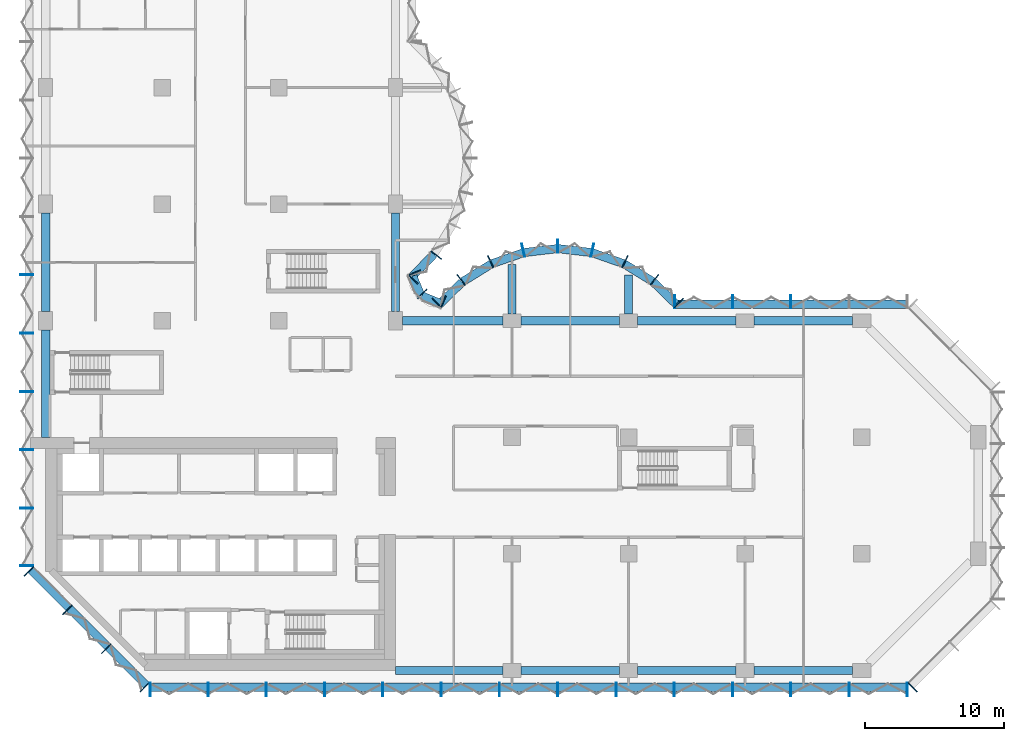
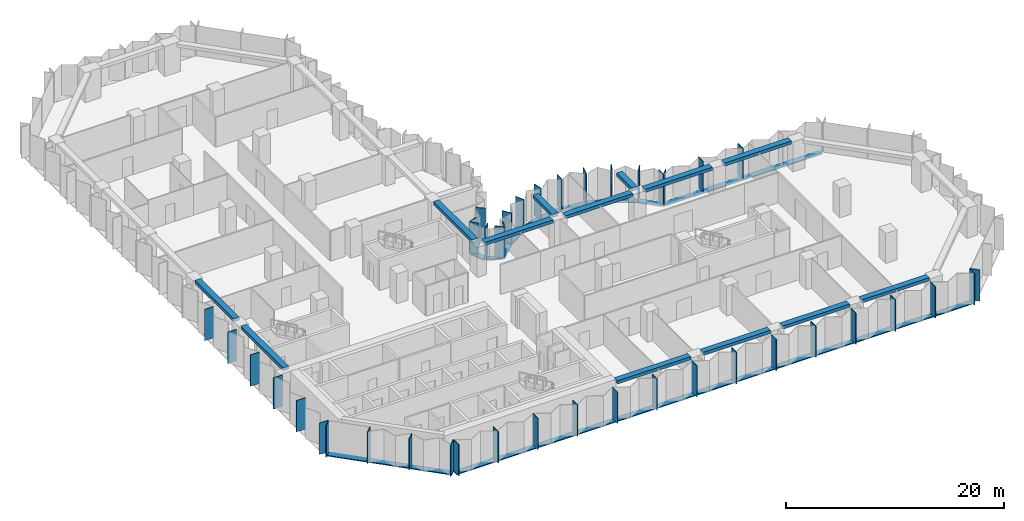
# One storey, part 2 of 13: 56 members, 13 beams, 8 elements without a shape of their own.
"""IFC4 building model written with IfcOpenShell, lengths in metres."""

from ifc_helpers import new_model, si_unit, direction, frame, origin, origin_2d, place, context, subcontext, project, spatial, rectangle, extrude, material, material_profile, profile_set, type_object, element, aggregate, save


model = new_model("IFC4")

# Units and contexts
model_context = context("Model", 3, precision=1e-05, world=origin(), true_north=direction((0.0, 1.0)))
body_context = subcontext(model_context, "Body", "Model", "MODEL_VIEW")
ifc_project = project(units=[si_unit("LENGTHUNIT", "METRE"), si_unit("AREAUNIT", "SQUARE_METRE"), si_unit("VOLUMEUNIT", "CUBIC_METRE"), si_unit("PLANEANGLEUNIT", "RADIAN"), si_unit("MASSUNIT", "GRAM", prefix="KILO")], contexts=[model_context])

# Site, building, storey
site_placement = place(None, origin())
site = spatial("IfcSite", under=ifc_project, at=site_placement, CompositionType="ELEMENT")
building_placement = place(site_placement, origin())
building = spatial("IfcBuilding", under=site, at=building_placement, Name="Brevane Broadcast Tower", CompositionType="ELEMENT")
storey_placement = place(building_placement, frame((0.0, 0.0, 120.5)))
storey = spatial("IfcBuildingStorey", under=building, at=storey_placement, Name="L29", CompositionType="ELEMENT", Elevation=120.5)

# Curtain wall, members
ifc_material_1 = material(Name="Aluminium 6063-T6 bronze anodised", Category="aluminium")
curtain_wall_type = type_object("IfcCurtainWallType", Name="CW-1 curtain wall", PredefinedType="NOTDEFINED", material=ifc_material_1)
curtain_wall_1_placement = place(storey_placement, origin())
curtain_wall_1 = element("IfcCurtainWall", 1, at=curtain_wall_1_placement, inside=storey, type_object=curtain_wall_type, Name="CW-1 typical tilted unit L29 south face", PredefinedType="NOTDEFINED")
ifc_material_profile_1 = material_profile(ifc_material_1, rectangle(XDim=0.949951171875, YDim=0.070068359375, at=origin_2d()), Name="RECT 70x950")
ifc_profile_set_1 = profile_set([ifc_material_profile_1], Name="Aluminium 6063-T6 bronze anodised")
member_type_1 = type_object("IfcMemberType", Name="CW-1 mullion 70x950", PredefinedType="MULLION", material=ifc_profile_set_1)
member_1_placement = place(storey_placement, frame((7.534912109375, -1.375, -0.14990234375), z_axis=(0.0, 0.0, 1.0), x_axis=(0.0, 1.0, 0.0)))
member_1 = element("IfcMember", 2, at=member_1_placement, type_object=member_type_1, Name="CW-1 mullion", PredefinedType="MULLION", context=body_context, shape_type="SweptSolid", body=[
    extrude(rectangle(XDim=0.949951171875, YDim=0.070068359375, at=origin_2d()), origin(), (0.0, 0.0, 1.0), 3.5),
])
member_2_placement = place(storey_placement, frame((11.699951171875, -1.375, -0.14990234375), z_axis=(0.0, 0.0, 1.0), x_axis=(0.0, 1.0, 0.0)))
member_2 = element("IfcMember", 3, at=member_2_placement, type_object=member_type_1, Name="CW-1 mullion", PredefinedType="MULLION", context=body_context, shape_type="SweptSolid", body=[
    extrude(rectangle(XDim=0.949951171875, YDim=0.070068359375, at=origin_2d()), origin(), (0.0, 0.0, 1.0), 3.5),
])
member_3_placement = place(storey_placement, frame((15.89990234375, -1.375, -0.14990234375), z_axis=(0.0, 0.0, 1.0), x_axis=(0.0, 1.0, 0.0)))
member_3 = element("IfcMember", 4, at=member_3_placement, type_object=member_type_1, Name="CW-1 mullion", PredefinedType="MULLION", context=body_context, shape_type="SweptSolid", body=[
    extrude(rectangle(XDim=0.949951171875, YDim=0.070068359375, at=origin_2d()), origin(), (0.0, 0.0, 1.0), 3.5),
])
member_4_placement = place(storey_placement, frame((20.10009765625, -1.375, -0.14990234375), z_axis=(0.0, 0.0, 1.0), x_axis=(0.0, 1.0, 0.0)))
member_4 = element("IfcMember", 5, at=member_4_placement, type_object=member_type_1, Name="CW-1 mullion", PredefinedType="MULLION", context=body_context, shape_type="SweptSolid", body=[
    extrude(rectangle(XDim=0.949951171875, YDim=0.070068359375, at=origin_2d()), origin(), (0.0, 0.0, 1.0), 3.5),
])
member_5_placement = place(storey_placement, frame((24.300048828125, -1.375, -0.14990234375), z_axis=(0.0, 0.0, 1.0), x_axis=(0.0, 1.0, 0.0)))
member_5 = element("IfcMember", 6, at=member_5_placement, type_object=member_type_1, Name="CW-1 mullion", PredefinedType="MULLION", context=body_context, shape_type="SweptSolid", body=[
    extrude(rectangle(XDim=0.949951171875, YDim=0.070068359375, at=origin_2d()), origin(), (0.0, 0.0, 1.0), 3.5),
])
member_6_placement = place(storey_placement, frame((28.5, -1.375, -0.14990234375), z_axis=(0.0, 0.0, 1.0), x_axis=(0.0, 1.0, 0.0)))
member_6 = element("IfcMember", 7, at=member_6_placement, type_object=member_type_1, Name="CW-1 mullion", PredefinedType="MULLION", context=body_context, shape_type="SweptSolid", body=[
    extrude(rectangle(XDim=0.949951171875, YDim=0.070068359375, at=origin_2d()), origin(), (0.0, 0.0, 1.0), 3.5),
])
member_7_placement = place(storey_placement, frame((32.699951171875, -1.375, -0.14990234375), z_axis=(0.0, 0.0, 1.0), x_axis=(0.0, 1.0, 0.0)))
member_7 = element("IfcMember", 8, at=member_7_placement, type_object=member_type_1, Name="CW-1 mullion", PredefinedType="MULLION", context=body_context, shape_type="SweptSolid", body=[
    extrude(rectangle(XDim=0.949951171875, YDim=0.070068359375, at=origin_2d()), origin(), (0.0, 0.0, 1.0), 3.5),
])
member_8_placement = place(storey_placement, frame((36.89990234375, -1.375, -0.14990234375), z_axis=(0.0, 0.0, 1.0), x_axis=(0.0, 1.0, 0.0)))
member_8 = element("IfcMember", 9, at=member_8_placement, type_object=member_type_1, Name="CW-1 mullion", PredefinedType="MULLION", context=body_context, shape_type="SweptSolid", body=[
    extrude(rectangle(XDim=0.949951171875, YDim=0.070068359375, at=origin_2d()), origin(), (0.0, 0.0, 1.0), 3.5),
])
member_9_placement = place(storey_placement, frame((41.10009765625, -1.375, -0.14990234375), z_axis=(0.0, 0.0, 1.0), x_axis=(0.0, 1.0, 0.0)))
member_9 = element("IfcMember", 10, at=member_9_placement, type_object=member_type_1, Name="CW-1 mullion", PredefinedType="MULLION", context=body_context, shape_type="SweptSolid", body=[
    extrude(rectangle(XDim=0.949951171875, YDim=0.070068359375, at=origin_2d()), origin(), (0.0, 0.0, 1.0), 3.5),
])
member_10_placement = place(storey_placement, frame((45.300048828125, -1.375, -0.14990234375), z_axis=(0.0, 0.0, 1.0), x_axis=(0.0, 1.0, 0.0)))
member_10 = element("IfcMember", 11, at=member_10_placement, type_object=member_type_1, Name="CW-1 mullion", PredefinedType="MULLION", context=body_context, shape_type="SweptSolid", body=[
    extrude(rectangle(XDim=0.949951171875, YDim=0.070068359375, at=origin_2d()), origin(), (0.0, 0.0, 1.0), 3.5),
])
member_11_placement = place(storey_placement, frame((49.5, -1.375, -0.14990234375), z_axis=(0.0, 0.0, 1.0), x_axis=(0.0, 1.0, 0.0)))
member_11 = element("IfcMember", 12, at=member_11_placement, type_object=member_type_1, Name="CW-1 mullion", PredefinedType="MULLION", context=body_context, shape_type="SweptSolid", body=[
    extrude(rectangle(XDim=0.949951171875, YDim=0.070068359375, at=origin_2d()), origin(), (0.0, 0.0, 1.0), 3.5),
])
member_12_placement = place(storey_placement, frame((53.699951171875, -1.375, -0.14990234375), z_axis=(0.0, 0.0, 1.0), x_axis=(0.0, 1.0, 0.0)))
member_12 = element("IfcMember", 13, at=member_12_placement, type_object=member_type_1, Name="CW-1 mullion", PredefinedType="MULLION", context=body_context, shape_type="SweptSolid", body=[
    extrude(rectangle(XDim=0.949951171875, YDim=0.070068359375, at=origin_2d()), origin(), (0.0, 0.0, 1.0), 3.5),
])
member_13_placement = place(storey_placement, frame((57.89990234375, -1.375, -0.14990234375), z_axis=(0.0, 0.0, 1.0), x_axis=(0.0, 1.0, 0.0)))
member_13 = element("IfcMember", 14, at=member_13_placement, type_object=member_type_1, Name="CW-1 mullion", PredefinedType="MULLION", context=body_context, shape_type="SweptSolid", body=[
    extrude(rectangle(XDim=0.949951171875, YDim=0.070068359375, at=origin_2d()), origin(), (0.0, 0.0, 1.0), 3.5),
])
member_14_placement = place(storey_placement, frame((62.06494140625, -1.375, -0.14990234375), z_axis=(0.0, 0.0, 1.0), x_axis=(0.0, 1.0, 0.0)))
member_14 = element("IfcMember", 15, at=member_14_placement, type_object=member_type_1, Name="CW-1 mullion", PredefinedType="MULLION", context=body_context, shape_type="SweptSolid", body=[
    extrude(rectangle(XDim=0.949951171875, YDim=0.070068359375, at=origin_2d()), origin(), (0.0, 0.0, 1.0), 3.5),
])

# Curtain wall, member
curtain_wall_2_placement = place(storey_placement, origin())
curtain_wall_2 = element("IfcCurtainWall", 16, at=curtain_wall_2_placement, inside=storey, type_object=curtain_wall_type, Name="CW-1 typical tilted unit L29 south-east chamfer", PredefinedType="NOTDEFINED")
member_15_placement = place(storey_placement, frame((62.460693359375, -1.211181640625, -0.14990234375), z_axis=(0.0, 0.0, 1.0), x_axis=(-0.707106781187, 0.707106781187, 0.0)))
member_15 = element("IfcMember", 17, at=member_15_placement, type_object=member_type_1, Name="CW-1 mullion", PredefinedType="MULLION", context=body_context, shape_type="SweptSolid", body=[
    extrude(rectangle(XDim=0.949951171875, YDim=0.070068359375, at=origin_2d()), origin(), (0.0, 0.0, 1.0), 3.5),
])
aggregate(curtain_wall_2, [member_15])

# Curtain wall, members
curtain_wall_3_placement = place(storey_placement, origin())
curtain_wall_3 = element("IfcCurtainWall", 18, at=curtain_wall_3_placement, inside=storey, type_object=curtain_wall_type, Name="CW-1 typical tilted unit L29 east arm north face", PredefinedType="NOTDEFINED")
member_16_placement = place(storey_placement, frame((53.699951171875, 26.574951171875, -0.14990234375), z_axis=(0.0, 0.0, 1.0), x_axis=(0.0, -1.0, 0.0)))
member_16 = element("IfcMember", 19, at=member_16_placement, type_object=member_type_1, Name="CW-1 mullion", PredefinedType="MULLION", context=body_context, shape_type="SweptSolid", body=[
    extrude(rectangle(XDim=0.949951171875, YDim=0.070068359375, at=origin_2d()), origin(), (0.0, 0.0, 1.0), 3.5),
])
member_17_placement = place(storey_placement, frame((49.5, 26.574951171875, -0.14990234375), z_axis=(0.0, 0.0, 1.0), x_axis=(0.0, -1.0, 0.0)))
member_17 = element("IfcMember", 20, at=member_17_placement, type_object=member_type_1, Name="CW-1 mullion", PredefinedType="MULLION", context=body_context, shape_type="SweptSolid", body=[
    extrude(rectangle(XDim=0.949951171875, YDim=0.070068359375, at=origin_2d()), origin(), (0.0, 0.0, 1.0), 3.5),
])
member_18_placement = place(storey_placement, frame((45.3349609375, 26.574951171875, -0.14990234375), z_axis=(0.0, 0.0, 1.0), x_axis=(0.0, -1.0, 0.0)))
member_18 = element("IfcMember", 21, at=member_18_placement, type_object=member_type_1, Name="CW-1 mullion", PredefinedType="MULLION", context=body_context, shape_type="SweptSolid", body=[
    extrude(rectangle(XDim=0.949951171875, YDim=0.070068359375, at=origin_2d()), origin(), (0.0, 0.0, 1.0), 3.5),
])

curtain_wall_4_placement = place(storey_placement, origin())
curtain_wall_4 = element("IfcCurtainWall", 22, at=curtain_wall_4_placement, inside=storey, type_object=curtain_wall_type, Name="CW-1 typical tilted unit L29 east bow", PredefinedType="NOTDEFINED")
member_19_placement = place(storey_placement, frame((45.60595703125, 26.465087890625, -0.14990234375), z_axis=(0.0, 0.0, 1.0), x_axis=(-0.696811941702, -0.717253872699, 0.0)))
member_19 = element("IfcMember", 23, at=member_19_placement, type_object=member_type_1, Name="CW-1 mullion", PredefinedType="MULLION", context=body_context, shape_type="SweptSolid", body=[
    extrude(rectangle(XDim=0.949951171875, YDim=0.070068359375, at=origin_2d()), origin(), (0.0, 0.0, 1.0), 3.5),
])
member_20_placement = place(storey_placement, frame((43.8720703125, 28.1455078125, -0.14990234375), z_axis=(0.0, 0.0, 1.0), x_axis=(-0.614769738617, -0.788706642853, 0.0)))
member_20 = element("IfcMember", 24, at=member_20_placement, type_object=member_type_1, Name="CW-1 mullion", PredefinedType="MULLION", context=body_context, shape_type="SweptSolid", body=[
    extrude(rectangle(XDim=0.949951171875, YDim=0.070068359375, at=origin_2d()), origin(), (0.0, 0.0, 1.0), 3.5),
])
member_21_placement = place(storey_placement, frame((41.746826171875, 29.4580078125, -0.14990234375), z_axis=(0.0, 0.0, 1.0), x_axis=(-0.429933601163, -0.902860508933, 0.0)))
member_21 = element("IfcMember", 25, at=member_21_placement, type_object=member_type_1, Name="CW-1 mullion", PredefinedType="MULLION", context=body_context, shape_type="SweptSolid", body=[
    extrude(rectangle(XDim=0.949951171875, YDim=0.070068359375, at=origin_2d()), origin(), (0.0, 0.0, 1.0), 3.5),
])
member_22_placement = place(storey_placement, frame((39.38818359375, 30.28076171875, -0.14990234375), z_axis=(0.0, 0.0, 1.0), x_axis=(-0.224806482215, -0.974403430594, 0.0)))
member_22 = element("IfcMember", 26, at=member_22_placement, type_object=member_type_1, Name="CW-1 mullion", PredefinedType="MULLION", context=body_context, shape_type="SweptSolid", body=[
    extrude(rectangle(XDim=0.949951171875, YDim=0.070068359375, at=origin_2d()), origin(), (0.0, 0.0, 1.0), 3.5),
])
member_23_placement = place(storey_placement, frame((36.89990234375, 30.574951171875, -0.14990234375), z_axis=(0.0, 0.0, 1.0), x_axis=(0.0, -1.0, 0.0)))
member_23 = element("IfcMember", 27, at=member_23_placement, type_object=member_type_1, Name="CW-1 mullion", PredefinedType="MULLION", context=body_context, shape_type="SweptSolid", body=[
    extrude(rectangle(XDim=0.949951171875, YDim=0.070068359375, at=origin_2d()), origin(), (0.0, 0.0, 1.0), 3.5),
])
member_24_placement = place(storey_placement, frame((34.411865234375, 30.28076171875, -0.14990234375), z_axis=(0.0, 0.0, 1.0), x_axis=(0.224806482215, -0.974403430594, 0.0)))
member_24 = element("IfcMember", 28, at=member_24_placement, type_object=member_type_1, Name="CW-1 mullion", PredefinedType="MULLION", context=body_context, shape_type="SweptSolid", body=[
    extrude(rectangle(XDim=0.949951171875, YDim=0.070068359375, at=origin_2d()), origin(), (0.0, 0.0, 1.0), 3.5),
])
member_25_placement = place(storey_placement, frame((32.05322265625, 29.4580078125, -0.14990234375), z_axis=(0.0, 0.0, 1.0), x_axis=(0.429933601163, -0.902860508933, 0.0)))
member_25 = element("IfcMember", 29, at=member_25_placement, type_object=member_type_1, Name="CW-1 mullion", PredefinedType="MULLION", context=body_context, shape_type="SweptSolid", body=[
    extrude(rectangle(XDim=0.949951171875, YDim=0.070068359375, at=origin_2d()), origin(), (0.0, 0.0, 1.0), 3.5),
])
member_26_placement = place(storey_placement, frame((29.927978515625, 28.1455078125, -0.14990234375), z_axis=(0.0, 0.0, 1.0), x_axis=(0.614769738617, -0.788706642853, 0.0)))
member_26 = element("IfcMember", 30, at=member_26_placement, type_object=member_type_1, Name="CW-1 mullion", PredefinedType="MULLION", context=body_context, shape_type="SweptSolid", body=[
    extrude(rectangle(XDim=0.949951171875, YDim=0.070068359375, at=origin_2d()), origin(), (0.0, 0.0, 1.0), 3.5),
])
member_27_placement = place(storey_placement, frame((28.194091796875, 26.465087890625, -0.14990234375), z_axis=(0.0, 0.0, 1.0), x_axis=(0.696811941702, -0.717253872699, 0.0)))
member_27 = element("IfcMember", 31, at=member_27_placement, type_object=member_type_1, Name="CW-1 mullion", PredefinedType="MULLION", context=body_context, shape_type="SweptSolid", body=[
    extrude(rectangle(XDim=0.949951171875, YDim=0.070068359375, at=origin_2d()), origin(), (0.0, 0.0, 1.0), 3.5),
])

curtain_wall_5_placement = place(storey_placement, origin())
curtain_wall_5 = element("IfcCurtainWall", 32, at=curtain_wall_5_placement, inside=storey, type_object=curtain_wall_type, Name="CW-1 typical tilted unit L29 inner corner", PredefinedType="NOTDEFINED")
member_28_placement = place(storey_placement, frame((28.6494140625, 26.55224609375, -0.14990234375), z_axis=(0.0, 0.0, 1.0), x_axis=(-0.382683612978, -0.923879457699, 0.0)))
member_28 = element("IfcMember", 33, at=member_28_placement, type_object=member_type_1, Name="CW-1 mullion", PredefinedType="MULLION", context=body_context, shape_type="SweptSolid", body=[
    extrude(rectangle(XDim=0.949951171875, YDim=0.070068359375, at=origin_2d()), origin(), (0.0, 0.0, 1.0), 3.5),
])
member_29_placement = place(storey_placement, frame((27.138916015625, 27.138916015625, -0.14990234375), z_axis=(0.0, 0.0, 1.0), x_axis=(-0.707106781187, -0.707106781187, 0.0)))
member_29 = element("IfcMember", 34, at=member_29_placement, type_object=member_type_1, Name="CW-1 mullion", PredefinedType="MULLION", context=body_context, shape_type="SweptSolid", body=[
    extrude(rectangle(XDim=0.949951171875, YDim=0.070068359375, at=origin_2d()), origin(), (0.0, 0.0, 1.0), 3.5),
])
member_30_placement = place(storey_placement, frame((26.55224609375, 28.6494140625, -0.14990234375), z_axis=(0.0, 0.0, 1.0), x_axis=(-0.923879457699, -0.382683612978, 0.0)))
member_30 = element("IfcMember", 35, at=member_30_placement, type_object=member_type_1, Name="CW-1 mullion", PredefinedType="MULLION", context=body_context, shape_type="SweptSolid", body=[
    extrude(rectangle(XDim=0.949951171875, YDim=0.070068359375, at=origin_2d()), origin(), (0.0, 0.0, 1.0), 3.5),
])

curtain_wall_6_placement = place(storey_placement, origin())
curtain_wall_6 = element("IfcCurtainWall", 36, at=curtain_wall_6_placement, inside=storey, type_object=curtain_wall_type, Name="CW-1 typical tilted unit L29 north bow", PredefinedType="NOTDEFINED")
member_31_placement = place(storey_placement, frame((26.465087890625, 28.194091796875, -0.14990234375), z_axis=(0.0, 0.0, 1.0), x_axis=(-0.717253872699, 0.696811941702, 0.0)))
member_31 = element("IfcMember", 37, at=member_31_placement, type_object=member_type_1, Name="CW-1 mullion", PredefinedType="MULLION", context=body_context, shape_type="SweptSolid", body=[
    extrude(rectangle(XDim=0.949951171875, YDim=0.070068359375, at=origin_2d()), origin(), (0.0, 0.0, 1.0), 3.5),
])
member_32_placement = place(storey_placement, frame((28.1455078125, 29.927978515625, -0.14990234375), z_axis=(0.0, 0.0, 1.0), x_axis=(-0.788706642853, 0.614769738617, 0.0)))
member_32 = element("IfcMember", 38, at=member_32_placement, type_object=member_type_1, Name="CW-1 mullion", PredefinedType="MULLION", context=body_context, shape_type="SweptSolid", body=[
    extrude(rectangle(XDim=0.949951171875, YDim=0.070068359375, at=origin_2d()), origin(), (0.0, 0.0, 1.0), 3.5),
])

curtain_wall_7_placement = place(storey_placement, origin())
curtain_wall_7 = element("IfcCurtainWall", 39, at=curtain_wall_7_placement, inside=storey, type_object=curtain_wall_type, Name="CW-1 typical tilted unit L29 west face", PredefinedType="NOTDEFINED")
member_33_placement = place(storey_placement, frame((-1.375, 28.5, -0.14990234375), z_axis=(0.0, 0.0, 1.0), x_axis=(1.0, 0.0, 0.0)))
member_33 = element("IfcMember", 40, at=member_33_placement, type_object=member_type_1, Name="CW-1 mullion", PredefinedType="MULLION", context=body_context, shape_type="SweptSolid", body=[
    extrude(rectangle(XDim=0.949951171875, YDim=0.070068359375, at=origin_2d()), origin(), (0.0, 0.0, 1.0), 3.5),
])
member_34_placement = place(storey_placement, frame((-1.375, 24.300048828125, -0.14990234375), z_axis=(0.0, 0.0, 1.0), x_axis=(1.0, 0.0, 0.0)))
member_34 = element("IfcMember", 41, at=member_34_placement, type_object=member_type_1, Name="CW-1 mullion", PredefinedType="MULLION", context=body_context, shape_type="SweptSolid", body=[
    extrude(rectangle(XDim=0.949951171875, YDim=0.070068359375, at=origin_2d()), origin(), (0.0, 0.0, 1.0), 3.5),
])
member_35_placement = place(storey_placement, frame((-1.375, 20.10009765625, -0.14990234375), z_axis=(0.0, 0.0, 1.0), x_axis=(1.0, 0.0, 0.0)))
member_35 = element("IfcMember", 42, at=member_35_placement, type_object=member_type_1, Name="CW-1 mullion", PredefinedType="MULLION", context=body_context, shape_type="SweptSolid", body=[
    extrude(rectangle(XDim=0.949951171875, YDim=0.070068359375, at=origin_2d()), origin(), (0.0, 0.0, 1.0), 3.5),
])
member_36_placement = place(storey_placement, frame((-1.375, 15.89990234375, -0.14990234375), z_axis=(0.0, 0.0, 1.0), x_axis=(1.0, 0.0, 0.0)))
member_36 = element("IfcMember", 43, at=member_36_placement, type_object=member_type_1, Name="CW-1 mullion", PredefinedType="MULLION", context=body_context, shape_type="SweptSolid", body=[
    extrude(rectangle(XDim=0.949951171875, YDim=0.070068359375, at=origin_2d()), origin(), (0.0, 0.0, 1.0), 3.5),
])
member_37_placement = place(storey_placement, frame((-1.375, 11.699951171875, -0.14990234375), z_axis=(0.0, 0.0, 1.0), x_axis=(1.0, 0.0, 0.0)))
member_37 = element("IfcMember", 44, at=member_37_placement, type_object=member_type_1, Name="CW-1 mullion", PredefinedType="MULLION", context=body_context, shape_type="SweptSolid", body=[
    extrude(rectangle(XDim=0.949951171875, YDim=0.070068359375, at=origin_2d()), origin(), (0.0, 0.0, 1.0), 3.5),
])
member_38_placement = place(storey_placement, frame((-1.375, 7.534912109375, -0.14990234375), z_axis=(0.0, 0.0, 1.0), x_axis=(1.0, 0.0, 0.0)))
member_38 = element("IfcMember", 45, at=member_38_placement, type_object=member_type_1, Name="CW-1 mullion", PredefinedType="MULLION", context=body_context, shape_type="SweptSolid", body=[
    extrude(rectangle(XDim=0.949951171875, YDim=0.070068359375, at=origin_2d()), origin(), (0.0, 0.0, 1.0), 3.5),
])
aggregate(curtain_wall_7, [member_33, member_34, member_35, member_36, member_37, member_38])

curtain_wall_8_placement = place(storey_placement, origin())
curtain_wall_8 = element("IfcCurtainWall", 46, at=curtain_wall_8_placement, inside=storey, type_object=curtain_wall_type, Name="CW-1 typical tilted unit L29 south-west chamfer", PredefinedType="NOTDEFINED")
member_39_placement = place(storey_placement, frame((-1.211181640625, 7.139404296875, -0.14990234375), z_axis=(0.0, 0.0, 1.0), x_axis=(0.707106781187, 0.707106781187, 0.0)))
member_39 = element("IfcMember", 47, at=member_39_placement, type_object=member_type_1, Name="CW-1 mullion", PredefinedType="MULLION", context=body_context, shape_type="SweptSolid", body=[
    extrude(rectangle(XDim=0.949951171875, YDim=0.070068359375, at=origin_2d()), origin(), (0.0, 0.0, 1.0), 3.5),
])
member_40_placement = place(storey_placement, frame((1.564208984375, 4.364013671875, -0.14990234375), z_axis=(0.0, 0.0, 1.0), x_axis=(0.707106781187, 0.707106781187, 0.0)))
member_40 = element("IfcMember", 48, at=member_40_placement, type_object=member_type_1, Name="CW-1 mullion", PredefinedType="MULLION", context=body_context, shape_type="SweptSolid", body=[
    extrude(rectangle(XDim=0.949951171875, YDim=0.070068359375, at=origin_2d()), origin(), (0.0, 0.0, 1.0), 3.5),
])
member_41_placement = place(storey_placement, frame((4.364013671875, 1.564208984375, -0.14990234375), z_axis=(0.0, 0.0, 1.0), x_axis=(0.707106781187, 0.707106781187, 0.0)))
member_41 = element("IfcMember", 49, at=member_41_placement, type_object=member_type_1, Name="CW-1 mullion", PredefinedType="MULLION", context=body_context, shape_type="SweptSolid", body=[
    extrude(rectangle(XDim=0.949951171875, YDim=0.070068359375, at=origin_2d()), origin(), (0.0, 0.0, 1.0), 3.5),
])
member_42_placement = place(storey_placement, frame((7.139404296875, -1.211181640625, -0.14990234375), z_axis=(0.0, 0.0, 1.0), x_axis=(0.707106781187, 0.707106781187, 0.0)))
member_42 = element("IfcMember", 50, at=member_42_placement, type_object=member_type_1, Name="CW-1 mullion", PredefinedType="MULLION", context=body_context, shape_type="SweptSolid", body=[
    extrude(rectangle(XDim=0.949951171875, YDim=0.070068359375, at=origin_2d()), origin(), (0.0, 0.0, 1.0), 3.5),
])

# Member
ifc_material_profile_2 = material_profile(ifc_material_1, rectangle(XDim=0.60009765625, YDim=0.10009765625, at=origin_2d()), Name="RECT 100x600")
ifc_profile_set_2 = profile_set([ifc_material_profile_2], Name="Aluminium 6063-T6 bronze anodised")
member_type_2 = type_object("IfcMemberType", Name="CW-1 transom 100x600", PredefinedType="USERDEFINED", material=ifc_profile_set_2)
member_43_placement = place(storey_placement, frame((7.5, -1.199951171875, -0.199951171875), z_axis=(1.0, 0.0, 0.0), x_axis=(0.0, 1.0, 0.0)))
member_43 = element("IfcMember", 51, at=member_43_placement, type_object=member_type_2, Name="CW-1 transom", ObjectType="TRANSOM", PredefinedType="USERDEFINED", context=body_context, shape_type="SweptSolid", body=[
    extrude(rectangle(XDim=0.60009765625, YDim=0.10009765625, at=origin_2d()), origin(), (0.0, 0.0, 1.0), 54.60009765625),
])

aggregate(curtain_wall_1, [member_1, member_2, member_3, member_4, member_5, member_6, member_7, member_8, member_9, member_10, member_11, member_12, member_13, member_14, member_43])

member_44_placement = place(storey_placement, frame((62.10009765625, 26.39990234375, -0.199951171875), z_axis=(-1.0, 0.0, 0.0), x_axis=(0.0, -1.0, 0.0)))
member_44 = element("IfcMember", 52, at=member_44_placement, type_object=member_type_2, Name="CW-1 transom", ObjectType="TRANSOM", PredefinedType="USERDEFINED", context=body_context, shape_type="SweptSolid", body=[
    extrude(rectangle(XDim=0.60009765625, YDim=0.10009765625, at=origin_2d()), origin(), (0.0, 0.0, 1.0), 16.800048828125),
])

aggregate(curtain_wall_3, [member_16, member_17, member_18, member_44])

member_45_placement = place(storey_placement, frame((45.412841796875, 26.407958984375, -0.199951171875), z_axis=(-0.71724215871, 0.696823999134, 0.0), x_axis=(-0.696823999134, -0.71724215871, 0.0)))
member_45 = element("IfcMember", 53, at=member_45_placement, type_object=member_type_2, Name="CW-1 transom", ObjectType="TRANSOM", PredefinedType="USERDEFINED", context=body_context, shape_type="SweptSolid", body=[
    extrude(rectangle(XDim=0.60009765625, YDim=0.10009765625, at=origin_2d()), origin(), (0.0, 0.0, 1.0), 2.247802734375),
])

member_46_placement = place(storey_placement, frame((43.7421875, 28.023193359375, -0.199951171875), z_axis=(-0.850810063131, 0.525473345162, 0.0), x_axis=(-0.525473345162, -0.850810063131, 0.0)))
member_46 = element("IfcMember", 54, at=member_46_placement, type_object=member_type_2, Name="CW-1 transom", ObjectType="TRANSOM", PredefinedType="USERDEFINED", context=body_context, shape_type="SweptSolid", body=[
    extrude(rectangle(XDim=0.60009765625, YDim=0.10009765625, at=origin_2d()), origin(), (0.0, 0.0, 1.0), 2.39453125),
])

member_47_placement = place(storey_placement, frame((41.63623046875, 29.314208984375, -0.199951171875), z_axis=(-0.944197969542, 0.329378497041, 0.0), x_axis=(-0.329378497041, -0.944197969542, 0.0)))
member_47 = element("IfcMember", 55, at=member_47_placement, type_object=member_type_2, Name="CW-1 transom", ObjectType="TRANSOM", PredefinedType="USERDEFINED", context=body_context, shape_type="SweptSolid", body=[
    extrude(rectangle(XDim=0.60009765625, YDim=0.10009765625, at=origin_2d()), origin(), (0.0, 0.0, 1.0), 2.394775390625),
])

member_48_placement = place(storey_placement, frame((39.30029296875, 30.117431640625, -0.199951171875), z_axis=(-0.993062061831, 0.117591417, 0.0), x_axis=(-0.117591417, -0.993062061831, 0.0)))
member_48 = element("IfcMember", 56, at=member_48_placement, type_object=member_type_2, Name="CW-1 transom", ObjectType="TRANSOM", PredefinedType="USERDEFINED", context=body_context, shape_type="SweptSolid", body=[
    extrude(rectangle(XDim=0.60009765625, YDim=0.10009765625, at=origin_2d()), origin(), (0.0, 0.0, 1.0), 2.39794921875),
])

member_49_placement = place(storey_placement, frame((36.880859375, 30.3994140625, -0.199951171875), z_axis=(-0.993060653805, -0.117603307202, 0.0), x_axis=(0.117603307202, -0.993060653805, 0.0)))
member_49 = element("IfcMember", 57, at=member_49_placement, type_object=member_type_2, Name="CW-1 transom", ObjectType="TRANSOM", PredefinedType="USERDEFINED", context=body_context, shape_type="SweptSolid", body=[
    extrude(rectangle(XDim=0.60009765625, YDim=0.10009765625, at=origin_2d()), origin(), (0.0, 0.0, 1.0), 2.397705078125),
])

member_50_placement = place(storey_placement, frame((34.425048828125, 30.10302734375, -0.199951171875), z_axis=(-0.944197969542, -0.329378497041, 0.0), x_axis=(0.329378497041, -0.944197969542, 0.0)))
member_50 = element("IfcMember", 58, at=member_50_placement, type_object=member_type_2, Name="CW-1 transom", ObjectType="TRANSOM", PredefinedType="USERDEFINED", context=body_context, shape_type="SweptSolid", body=[
    extrude(rectangle(XDim=0.60009765625, YDim=0.10009765625, at=origin_2d()), origin(), (0.0, 0.0, 1.0), 2.394775390625),
])

member_51_placement = place(storey_placement, frame((32.09521484375, 29.281494140625, -0.199951171875), z_axis=(-0.850838211365, -0.525427766759, 0.0), x_axis=(0.525427766759, -0.850838211365, 0.0)))
member_51 = element("IfcMember", 59, at=member_51_placement, type_object=member_type_2, Name="CW-1 transom", ObjectType="TRANSOM", PredefinedType="USERDEFINED", context=body_context, shape_type="SweptSolid", body=[
    extrude(rectangle(XDim=0.60009765625, YDim=0.10009765625, at=origin_2d()), origin(), (0.0, 0.0, 1.0), 2.394775390625),
])

member_52_placement = place(storey_placement, frame((29.99951171875, 27.974365234375, -0.199951171875), z_axis=(-0.71724215871, -0.696823999134, 0.0), x_axis=(0.696823999134, -0.71724215871, 0.0)))
member_52 = element("IfcMember", 60, at=member_52_placement, type_object=member_type_2, Name="CW-1 transom", ObjectType="TRANSOM", PredefinedType="USERDEFINED", context=body_context, shape_type="SweptSolid", body=[
    extrude(rectangle(XDim=0.60009765625, YDim=0.10009765625, at=origin_2d()), origin(), (0.0, 0.0, 1.0), 2.247802734375),
])

aggregate(curtain_wall_4, [member_19, member_20, member_21, member_22, member_23, member_24, member_25, member_26, member_27, member_45, member_46, member_47, member_48, member_49, member_50, member_51, member_52])

member_53_placement = place(storey_placement, frame((28.528076171875, 26.40673828125, -0.199951171875), z_axis=(-0.923883243627, 0.382674472816, 0.0), x_axis=(-0.382674472816, -0.923883243627, 0.0)))
member_53 = element("IfcMember", 61, at=member_53_placement, type_object=member_type_2, Name="CW-1 transom", ObjectType="TRANSOM", PredefinedType="USERDEFINED", context=body_context, shape_type="SweptSolid", body=[
    extrude(rectangle(XDim=0.60009765625, YDim=0.10009765625, at=origin_2d()), origin(), (0.0, 0.0, 1.0), 1.536865234375),
])

member_54_placement = place(storey_placement, frame((27.039794921875, 27.0, -0.199951171875), z_axis=(-0.382674472816, 0.923883243627, 0.0), x_axis=(-0.923883243627, -0.382674472816, 0.0)))
member_54 = element("IfcMember", 62, at=member_54_placement, type_object=member_type_2, Name="CW-1 transom", ObjectType="TRANSOM", PredefinedType="USERDEFINED", context=body_context, shape_type="SweptSolid", body=[
    extrude(rectangle(XDim=0.60009765625, YDim=0.10009765625, at=origin_2d()), origin(), (0.0, 0.0, 1.0), 1.536865234375),
])

aggregate(curtain_wall_5, [member_28, member_29, member_30, member_53, member_54])

member_55_placement = place(storey_placement, frame((26.407958984375, 28.38720703125, -0.199951171875), z_axis=(0.696823999134, 0.71724215871, 0.0), x_axis=(-0.71724215871, 0.696823999134, 0.0)))
member_55 = element("IfcMember", 63, at=member_55_placement, type_object=member_type_2, Name="CW-1 transom", ObjectType="TRANSOM", PredefinedType="USERDEFINED", context=body_context, shape_type="SweptSolid", body=[
    extrude(rectangle(XDim=0.60009765625, YDim=0.10009765625, at=origin_2d()), origin(), (0.0, 0.0, 1.0), 2.247802734375),
])

aggregate(curtain_wall_6, [member_31, member_32, member_55])

member_56_placement = place(storey_placement, frame((-1.112060546875, 7.287841796875, -0.199951171875), z_axis=(0.707106781187, -0.707106781187, 0.0), x_axis=(0.707106781187, 0.707106781187, 0.0)))
member_56 = element("IfcMember", 64, at=member_56_placement, type_object=member_type_2, Name="CW-1 transom", ObjectType="TRANSOM", PredefinedType="USERDEFINED", context=body_context, shape_type="SweptSolid", body=[
    extrude(rectangle(XDim=0.60009765625, YDim=0.10009765625, at=origin_2d()), origin(), (0.0, 0.0, 1.0), 11.879150390625),
])

aggregate(curtain_wall_8, [member_39, member_40, member_41, member_42, member_56])

# Beams
ifc_material_2 = material(Name="Concrete C40/50", Category="concrete")
ifc_material_profile_3 = material_profile(ifc_material_2, rectangle(XDim=0.60009765625, YDim=0.35009765625, at=origin_2d()), Name="RC 600x350")
ifc_profile_set_3 = profile_set([ifc_material_profile_3], Name="Concrete C40/50")
beam_type_1 = type_object("IfcBeamType", Name="RC BRACKET BEAM 600x350 C40/50", PredefinedType="BEAM", material=ifc_profile_set_3)
beam_1_placement = place(storey_placement, frame((33.60009765625, 25.699951171875, 3.175048828125), z_axis=(0.0, 1.0, 0.0), x_axis=(-1.0, 0.0, 0.0)))
element("IfcBeam", 65, at=beam_1_placement, inside=storey, type_object=beam_type_1, Name="EB2 L29-3", PredefinedType="BEAM", context=body_context, shape_type="SweptSolid", body=[
    extrude(rectangle(XDim=0.60009765625, YDim=0.35009765625, at=origin_2d()), origin(), (0.0, 0.0, 1.0), 3.56201171875),
])
beam_2_placement = place(storey_placement, frame((42.0, 25.699951171875, 3.175048828125), z_axis=(0.0, 1.0, 0.0), x_axis=(-1.0, 0.0, 0.0)))
element("IfcBeam", 66, at=beam_2_placement, inside=storey, type_object=beam_type_1, Name="EB2 L29-4", PredefinedType="BEAM", context=body_context, shape_type="SweptSolid", body=[
    extrude(rectangle(XDim=0.60009765625, YDim=0.35009765625, at=origin_2d()), origin(), (0.0, 0.0, 1.0), 2.8115234375),
])
ifc_material_profile_4 = material_profile(ifc_material_2, rectangle(XDim=0.60009765625, YDim=0.35009765625, at=origin_2d()), Name="RC 600x350")
ifc_profile_set_4 = profile_set([ifc_material_profile_4], Name="Concrete C40/50")
beam_type_2 = type_object("IfcBeamType", Name="RC SPANDREL BEAM 600x350 C40/50", PredefinedType="SPANDREL", material=ifc_profile_set_4)
beam_3_placement = place(storey_placement, frame((25.199951171875, 0.0, 3.175048828125), z_axis=(1.0, 0.0, 0.0), x_axis=(0.0, 1.0, 0.0)))
element("IfcBeam", 67, at=beam_3_placement, inside=storey, type_object=beam_type_2, Name="EB1 L29-1", PredefinedType="SPANDREL", context=body_context, shape_type="SweptSolid", body=[
    extrude(rectangle(XDim=0.60009765625, YDim=0.35009765625, at=origin_2d()), origin(), (0.0, 0.0, 1.0), 7.75),
])
for number, where, z_axis, x_axis, name in (
    (68, (34.25, 0.0, 3.175048828125), (1.0, 0.0, 0.0), (0.0, 1.0, 0.0), "EB1 L29-2"),
    (69, (42.64990234375, 0.0, 3.175048828125), (1.0, 0.0, 0.0), (0.0, 1.0, 0.0), "EB1 L29-3"),
):
    element("IfcBeam", number, at=place(storey_placement, frame(where, z_axis=z_axis, x_axis=x_axis)), inside=storey, type_object=beam_type_2, Name=name, PredefinedType="SPANDREL", context=body_context, shape_type="SweptSolid", body=[
        extrude(rectangle(XDim=0.60009765625, YDim=0.35009765625, at=origin_2d()), origin(), (0.0, 0.0, 1.0), 7.10009765625),
    ])
for number, where, z_axis, x_axis, name in (
    (70, (51.050048828125, 0.0, 3.175048828125), (1.0, 0.0, 0.0), (0.0, 1.0, 0.0), "EB1 L29-4"),
    (71, (58.14990234375, 25.199951171875, 3.175048828125), (-1.0, 0.0, 0.0), (0.0, -1.0, 0.0), "EB1 L29-8"),
):
    element("IfcBeam", number, at=place(storey_placement, frame(where, z_axis=z_axis, x_axis=x_axis)), inside=storey, type_object=beam_type_2, Name=name, PredefinedType="SPANDREL", context=body_context, shape_type="SweptSolid", body=[
        extrude(rectangle(XDim=0.60009765625, YDim=0.35009765625, at=origin_2d()), origin(), (0.0, 0.0, 1.0), 7.099853515625),
    ])
for number, where, z_axis, x_axis, name in (
    (72, (49.75, 25.199951171875, 3.175048828125), (-1.0, 0.0, 0.0), (0.0, -1.0, 0.0), "EB1 L29-9"),
    (73, (41.35009765625, 25.199951171875, 3.175048828125), (-1.0, 0.0, 0.0), (0.0, -1.0, 0.0), "EB1 L29-10"),
):
    element("IfcBeam", number, at=place(storey_placement, frame(where, z_axis=z_axis, x_axis=x_axis)), inside=storey, type_object=beam_type_2, Name=name, PredefinedType="SPANDREL", context=body_context, shape_type="SweptSolid", body=[
        extrude(rectangle(XDim=0.60009765625, YDim=0.35009765625, at=origin_2d()), origin(), (0.0, 0.0, 1.0), 7.10009765625),
    ])
beam_4_placement = place(storey_placement, frame((32.949951171875, 25.199951171875, 3.175048828125), z_axis=(-1.0, 0.0, 0.0), x_axis=(0.0, -1.0, 0.0)))
element("IfcBeam", 74, at=beam_4_placement, inside=storey, type_object=beam_type_2, Name="EB1 L29-11", PredefinedType="SPANDREL", context=body_context, shape_type="SweptSolid", body=[
    extrude(rectangle(XDim=0.60009765625, YDim=0.35009765625, at=origin_2d()), origin(), (0.0, 0.0, 1.0), 7.25),
])
for number, where, z_axis, x_axis, name in (
    (75, (25.199951171875, 25.85009765625, 3.175048828125), (0.0, 1.0, 0.0), (-1.0, 0.0, 0.0), "EB1 L29-12"),
    (76, (0.0, 32.949951171875, 3.175048828125), (0.0, -1.0, 0.0), (1.0, 0.0, 0.0), "EB1 L29-22"),
):
    element("IfcBeam", number, at=place(storey_placement, frame(where, z_axis=z_axis, x_axis=x_axis)), inside=storey, type_object=beam_type_2, Name=name, PredefinedType="SPANDREL", context=body_context, shape_type="SweptSolid", body=[
        extrude(rectangle(XDim=0.60009765625, YDim=0.35009765625, at=origin_2d()), origin(), (0.0, 0.0, 1.0), 7.099853515625),
    ])
beam_5_placement = place(storey_placement, frame((0.0, 24.550048828125, 3.175048828125), z_axis=(0.0, -1.0, 0.0), x_axis=(1.0, 0.0, 0.0)))
element("IfcBeam", 77, at=beam_5_placement, inside=storey, type_object=beam_type_2, Name="EB1 L29-23", PredefinedType="SPANDREL", context=body_context, shape_type="SweptSolid", body=[
    extrude(rectangle(XDim=0.60009765625, YDim=0.35009765625, at=origin_2d()), origin(), (0.0, 0.0, 1.0), 7.75),
])

save(model, "model.ifc")
